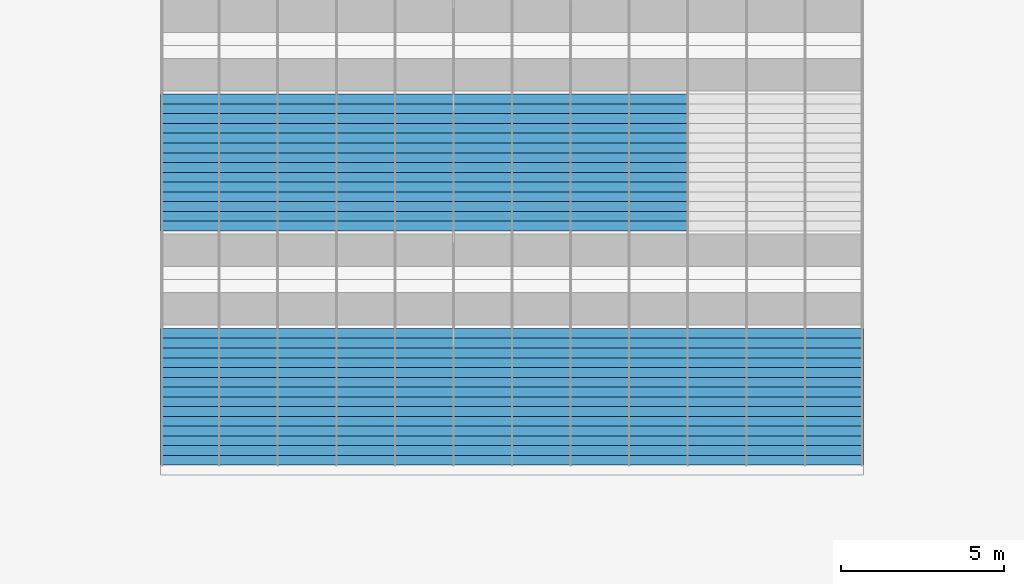
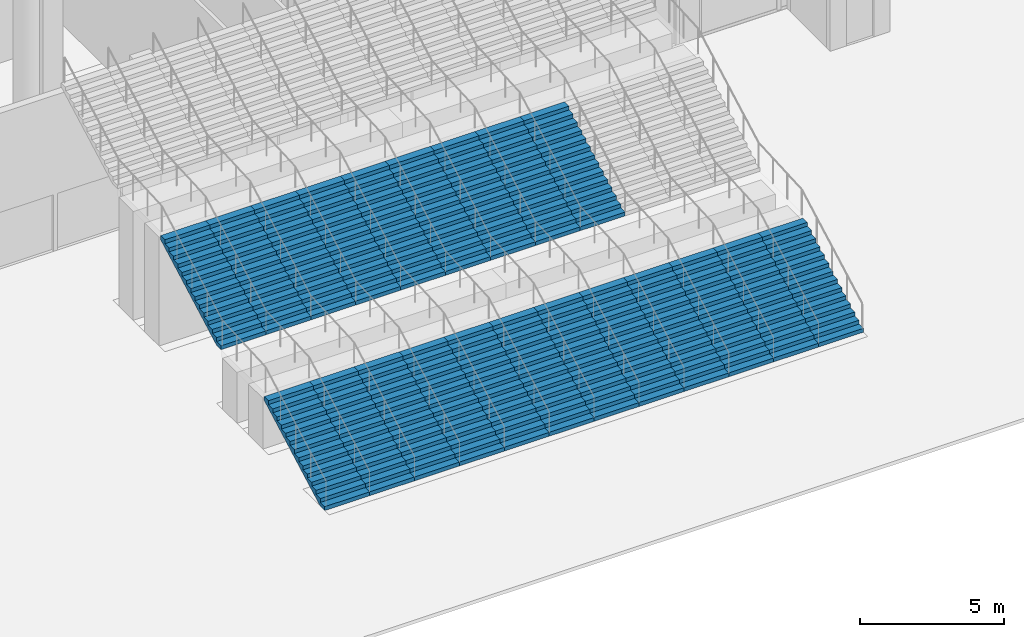
# One storey, part 31 of 44: 21 stair flights, 1 element without a shape of its own.
"""IFC4 building model written with IfcOpenShell, lengths in metres."""

from ifc_helpers import new_model, si_unit, direction, frame, origin, place, context, subcontext, project, spatial, polyline, outline, extrude, material, type_object, element, aggregate, save


model = new_model("IFC4")

# Units and contexts
model_context = context("Model", 3, precision=1e-05, world=origin(), true_north=direction((0.0, 1.0)))
body_context = subcontext(model_context, "Body", "Model", "MODEL_VIEW")
ifc_project = project(units=[si_unit("LENGTHUNIT", "METRE"), si_unit("AREAUNIT", "SQUARE_METRE"), si_unit("VOLUMEUNIT", "CUBIC_METRE"), si_unit("PLANEANGLEUNIT", "RADIAN"), si_unit("MASSUNIT", "GRAM", prefix="KILO")], contexts=[model_context])

# Site, building, storey
site_placement = place(None, origin())
site = spatial("IfcSite", under=ifc_project, at=site_placement, CompositionType="ELEMENT")
building_placement = place(site_placement, origin())
building = spatial("IfcBuilding", under=site, at=building_placement, Name="Fustian Cross Tower", CompositionType="ELEMENT")
storey_placement = place(building_placement, origin())
storey = spatial("IfcBuildingStorey", under=building, at=storey_placement, Name="L00", CompositionType="ELEMENT", Elevation=0.0)

# Stair, stair flights
ifc_material_1 = material(Name="Concrete C40/50", Category="concrete")
stair_type = type_object("IfcStairType", Name="PUBLIC STAIR", PredefinedType="STRAIGHT_RUN_STAIR", material=ifc_material_1)
stair_placement = place(storey_placement, origin())
stair = element("IfcStair", 1, at=stair_placement, inside=storey, type_object=stair_type, Name="Public street stair", PredefinedType="STRAIGHT_RUN_STAIR")
ifc_material_2 = material(Name="Concrete C40/50", Category="concrete")
stair_flight_type = type_object("IfcStairFlightType", Name="PUBLIC STAIR FLIGHT", PredefinedType="STRAIGHT", material=ifc_material_2)
stair_flight_1_placement = place(storey_placement, frame((-9.89990234375, -68.699951171875, 0.0), z_axis=(0.0, 0.0, 1.0), x_axis=(0.0, 1.0, 0.0)))
stair_flight_1 = element("IfcStairFlight", 2, at=stair_flight_1_placement, type_object=stair_flight_type, Name="ST7 flight 1", NumberOfRisers=15, NumberOfTreads=14, PredefinedType="STRAIGHT", RiserHeight=0.163636364, TreadLength=0.3, context=body_context, shape_type="SweptSolid", body=[
    extrude(outline(polyline([(0.0, 0.0), (0.0, 0.16357421875), (0.300048828125, 0.16357421875), (0.300048828125, 0.327392578125), (0.60009765625, 0.327392578125), (0.60009765625, 0.490966796875), (0.89990234375, 0.490966796875), (0.89990234375, 0.654541015625), (1.199951171875, 0.654541015625), (1.199951171875, 0.818115234375), (1.5, 0.818115234375), (1.5, 0.98193359375), (1.800048828125, 0.98193359375), (1.800048828125, 1.1455078125), (2.10009765625, 1.1455078125), (2.10009765625, 1.30908203125), (2.39990234375, 1.30908203125), (2.39990234375, 1.47265625), (2.699951171875, 1.47265625), (2.699951171875, 1.636474609375), (3.0, 1.636474609375), (3.0, 1.800048828125), (3.300048828125, 1.800048828125), (3.300048828125, 1.963623046875), (3.60009765625, 1.963623046875), (3.60009765625, 2.127197265625), (3.89990234375, 2.127197265625), (3.89990234375, 2.291015625), (4.199951171875, 2.291015625), (4.199951171875, 2.45458984375), (4.199951171875, 2.1201171875), (0.31298828125, 0.0), (0.0, 0.0)])), frame((0.0, 0.89990234375, 0.0), z_axis=(0.0, -1.0, 0.0), x_axis=(1.0, 0.0, 0.0)), (0.0, 0.0, 1.0), 1.800048828125),
])
stair_flight_2_placement = place(storey_placement, frame((-8.10009765625, -68.699951171875, 0.0), z_axis=(0.0, 0.0, 1.0), x_axis=(0.0, 1.0, 0.0)))
stair_flight_2 = element("IfcStairFlight", 3, at=stair_flight_2_placement, type_object=stair_flight_type, Name="ST7 flight 2", NumberOfRisers=15, NumberOfTreads=14, PredefinedType="STRAIGHT", RiserHeight=0.163636364, TreadLength=0.3, context=body_context, shape_type="SweptSolid", body=[
    extrude(outline(polyline([(0.0, 0.0), (0.0, 0.16357421875), (0.300048828125, 0.16357421875), (0.300048828125, 0.327392578125), (0.60009765625, 0.327392578125), (0.60009765625, 0.490966796875), (0.89990234375, 0.490966796875), (0.89990234375, 0.654541015625), (1.199951171875, 0.654541015625), (1.199951171875, 0.818115234375), (1.5, 0.818115234375), (1.5, 0.98193359375), (1.800048828125, 0.98193359375), (1.800048828125, 1.1455078125), (2.10009765625, 1.1455078125), (2.10009765625, 1.30908203125), (2.39990234375, 1.30908203125), (2.39990234375, 1.47265625), (2.699951171875, 1.47265625), (2.699951171875, 1.636474609375), (3.0, 1.636474609375), (3.0, 1.800048828125), (3.300048828125, 1.800048828125), (3.300048828125, 1.963623046875), (3.60009765625, 1.963623046875), (3.60009765625, 2.127197265625), (3.89990234375, 2.127197265625), (3.89990234375, 2.291015625), (4.199951171875, 2.291015625), (4.199951171875, 2.45458984375), (4.199951171875, 2.1201171875), (0.31298828125, 0.0), (0.0, 0.0)])), frame((0.0, 0.89990234375, 0.0), z_axis=(0.0, -1.0, 0.0), x_axis=(1.0, 0.0, 0.0)), (0.0, 0.0, 1.0), 1.800048828125),
])
stair_flight_3_placement = place(storey_placement, frame((-6.300048828125, -68.699951171875, 0.0), z_axis=(0.0, 0.0, 1.0), x_axis=(0.0, 1.0, 0.0)))
stair_flight_3 = element("IfcStairFlight", 4, at=stair_flight_3_placement, type_object=stair_flight_type, Name="ST7 flight 3", NumberOfRisers=15, NumberOfTreads=14, PredefinedType="STRAIGHT", RiserHeight=0.163636364, TreadLength=0.3, context=body_context, shape_type="SweptSolid", body=[
    extrude(outline(polyline([(0.0, 0.0), (0.0, 0.16357421875), (0.300048828125, 0.16357421875), (0.300048828125, 0.327392578125), (0.60009765625, 0.327392578125), (0.60009765625, 0.490966796875), (0.89990234375, 0.490966796875), (0.89990234375, 0.654541015625), (1.199951171875, 0.654541015625), (1.199951171875, 0.818115234375), (1.5, 0.818115234375), (1.5, 0.98193359375), (1.800048828125, 0.98193359375), (1.800048828125, 1.1455078125), (2.10009765625, 1.1455078125), (2.10009765625, 1.30908203125), (2.39990234375, 1.30908203125), (2.39990234375, 1.47265625), (2.699951171875, 1.47265625), (2.699951171875, 1.636474609375), (3.0, 1.636474609375), (3.0, 1.800048828125), (3.300048828125, 1.800048828125), (3.300048828125, 1.963623046875), (3.60009765625, 1.963623046875), (3.60009765625, 2.127197265625), (3.89990234375, 2.127197265625), (3.89990234375, 2.291015625), (4.199951171875, 2.291015625), (4.199951171875, 2.45458984375), (4.199951171875, 2.1201171875), (0.31298828125, 0.0), (0.0, 0.0)])), frame((0.0, 0.89990234375, 0.0), z_axis=(0.0, -1.0, 0.0), x_axis=(1.0, 0.0, 0.0)), (0.0, 0.0, 1.0), 1.800048828125),
])
stair_flight_4_placement = place(storey_placement, frame((-4.5, -68.699951171875, 0.0), z_axis=(0.0, 0.0, 1.0), x_axis=(0.0, 1.0, 0.0)))
stair_flight_4 = element("IfcStairFlight", 5, at=stair_flight_4_placement, type_object=stair_flight_type, Name="ST7 flight 4", NumberOfRisers=15, NumberOfTreads=14, PredefinedType="STRAIGHT", RiserHeight=0.163636364, TreadLength=0.3, context=body_context, shape_type="SweptSolid", body=[
    extrude(outline(polyline([(0.0, 0.0), (0.0, 0.16357421875), (0.300048828125, 0.16357421875), (0.300048828125, 0.327392578125), (0.60009765625, 0.327392578125), (0.60009765625, 0.490966796875), (0.89990234375, 0.490966796875), (0.89990234375, 0.654541015625), (1.199951171875, 0.654541015625), (1.199951171875, 0.818115234375), (1.5, 0.818115234375), (1.5, 0.98193359375), (1.800048828125, 0.98193359375), (1.800048828125, 1.1455078125), (2.10009765625, 1.1455078125), (2.10009765625, 1.30908203125), (2.39990234375, 1.30908203125), (2.39990234375, 1.47265625), (2.699951171875, 1.47265625), (2.699951171875, 1.636474609375), (3.0, 1.636474609375), (3.0, 1.800048828125), (3.300048828125, 1.800048828125), (3.300048828125, 1.963623046875), (3.60009765625, 1.963623046875), (3.60009765625, 2.127197265625), (3.89990234375, 2.127197265625), (3.89990234375, 2.291015625), (4.199951171875, 2.291015625), (4.199951171875, 2.45458984375), (4.199951171875, 2.1201171875), (0.31298828125, 0.0), (0.0, 0.0)])), frame((0.0, 0.89990234375, 0.0), z_axis=(0.0, -1.0, 0.0), x_axis=(1.0, 0.0, 0.0)), (0.0, 0.0, 1.0), 1.800048828125),
])
stair_flight_5_placement = place(storey_placement, frame((-2.699951171875, -68.699951171875, 0.0), z_axis=(0.0, 0.0, 1.0), x_axis=(0.0, 1.0, 0.0)))
stair_flight_5 = element("IfcStairFlight", 6, at=stair_flight_5_placement, type_object=stair_flight_type, Name="ST7 flight 5", NumberOfRisers=15, NumberOfTreads=14, PredefinedType="STRAIGHT", RiserHeight=0.163636364, TreadLength=0.3, context=body_context, shape_type="SweptSolid", body=[
    extrude(outline(polyline([(0.0, 0.0), (0.0, 0.16357421875), (0.300048828125, 0.16357421875), (0.300048828125, 0.327392578125), (0.60009765625, 0.327392578125), (0.60009765625, 0.490966796875), (0.89990234375, 0.490966796875), (0.89990234375, 0.654541015625), (1.199951171875, 0.654541015625), (1.199951171875, 0.818115234375), (1.5, 0.818115234375), (1.5, 0.98193359375), (1.800048828125, 0.98193359375), (1.800048828125, 1.1455078125), (2.10009765625, 1.1455078125), (2.10009765625, 1.30908203125), (2.39990234375, 1.30908203125), (2.39990234375, 1.47265625), (2.699951171875, 1.47265625), (2.699951171875, 1.636474609375), (3.0, 1.636474609375), (3.0, 1.800048828125), (3.300048828125, 1.800048828125), (3.300048828125, 1.963623046875), (3.60009765625, 1.963623046875), (3.60009765625, 2.127197265625), (3.89990234375, 2.127197265625), (3.89990234375, 2.291015625), (4.199951171875, 2.291015625), (4.199951171875, 2.45458984375), (4.199951171875, 2.1201171875), (0.31298828125, 0.0), (0.0, 0.0)])), frame((0.0, 0.89990234375, 0.0), z_axis=(0.0, -1.0, 0.0), x_axis=(1.0, 0.0, 0.0)), (0.0, 0.0, 1.0), 1.800048828125),
])
stair_flight_6_placement = place(storey_placement, frame((-0.89990234375, -68.699951171875, 0.0), z_axis=(0.0, 0.0, 1.0), x_axis=(0.0, 1.0, 0.0)))
stair_flight_6 = element("IfcStairFlight", 7, at=stair_flight_6_placement, type_object=stair_flight_type, Name="ST7 flight 6", NumberOfRisers=15, NumberOfTreads=14, PredefinedType="STRAIGHT", RiserHeight=0.163636364, TreadLength=0.3, context=body_context, shape_type="SweptSolid", body=[
    extrude(outline(polyline([(0.0, 0.0), (0.0, 0.16357421875), (0.300048828125, 0.16357421875), (0.300048828125, 0.327392578125), (0.60009765625, 0.327392578125), (0.60009765625, 0.490966796875), (0.89990234375, 0.490966796875), (0.89990234375, 0.654541015625), (1.199951171875, 0.654541015625), (1.199951171875, 0.818115234375), (1.5, 0.818115234375), (1.5, 0.98193359375), (1.800048828125, 0.98193359375), (1.800048828125, 1.1455078125), (2.10009765625, 1.1455078125), (2.10009765625, 1.30908203125), (2.39990234375, 1.30908203125), (2.39990234375, 1.47265625), (2.699951171875, 1.47265625), (2.699951171875, 1.636474609375), (3.0, 1.636474609375), (3.0, 1.800048828125), (3.300048828125, 1.800048828125), (3.300048828125, 1.963623046875), (3.60009765625, 1.963623046875), (3.60009765625, 2.127197265625), (3.89990234375, 2.127197265625), (3.89990234375, 2.291015625), (4.199951171875, 2.291015625), (4.199951171875, 2.45458984375), (4.199951171875, 2.1201171875), (0.31298828125, 0.0), (0.0, 0.0)])), frame((0.0, 0.89990234375, 0.0), z_axis=(0.0, -1.0, 0.0), x_axis=(1.0, 0.0, 0.0)), (0.0, 0.0, 1.0), 1.800048828125),
])
stair_flight_7_placement = place(storey_placement, frame((0.89990234375, -68.699951171875, 0.0), z_axis=(0.0, 0.0, 1.0), x_axis=(0.0, 1.0, 0.0)))
stair_flight_7 = element("IfcStairFlight", 8, at=stair_flight_7_placement, type_object=stair_flight_type, Name="ST7 flight 7", NumberOfRisers=15, NumberOfTreads=14, PredefinedType="STRAIGHT", RiserHeight=0.163636364, TreadLength=0.3, context=body_context, shape_type="SweptSolid", body=[
    extrude(outline(polyline([(0.0, 0.0), (0.0, 0.16357421875), (0.300048828125, 0.16357421875), (0.300048828125, 0.327392578125), (0.60009765625, 0.327392578125), (0.60009765625, 0.490966796875), (0.89990234375, 0.490966796875), (0.89990234375, 0.654541015625), (1.199951171875, 0.654541015625), (1.199951171875, 0.818115234375), (1.5, 0.818115234375), (1.5, 0.98193359375), (1.800048828125, 0.98193359375), (1.800048828125, 1.1455078125), (2.10009765625, 1.1455078125), (2.10009765625, 1.30908203125), (2.39990234375, 1.30908203125), (2.39990234375, 1.47265625), (2.699951171875, 1.47265625), (2.699951171875, 1.636474609375), (3.0, 1.636474609375), (3.0, 1.800048828125), (3.300048828125, 1.800048828125), (3.300048828125, 1.963623046875), (3.60009765625, 1.963623046875), (3.60009765625, 2.127197265625), (3.89990234375, 2.127197265625), (3.89990234375, 2.291015625), (4.199951171875, 2.291015625), (4.199951171875, 2.45458984375), (4.199951171875, 2.1201171875), (0.31298828125, 0.0), (0.0, 0.0)])), frame((0.0, 0.89990234375, 0.0), z_axis=(0.0, -1.0, 0.0), x_axis=(1.0, 0.0, 0.0)), (0.0, 0.0, 1.0), 1.800048828125),
])
stair_flight_8_placement = place(storey_placement, frame((2.699951171875, -68.699951171875, 0.0), z_axis=(0.0, 0.0, 1.0), x_axis=(0.0, 1.0, 0.0)))
stair_flight_8 = element("IfcStairFlight", 9, at=stair_flight_8_placement, type_object=stair_flight_type, Name="ST7 flight 8", NumberOfRisers=15, NumberOfTreads=14, PredefinedType="STRAIGHT", RiserHeight=0.163636364, TreadLength=0.3, context=body_context, shape_type="SweptSolid", body=[
    extrude(outline(polyline([(0.0, 0.0), (0.0, 0.16357421875), (0.300048828125, 0.16357421875), (0.300048828125, 0.327392578125), (0.60009765625, 0.327392578125), (0.60009765625, 0.490966796875), (0.89990234375, 0.490966796875), (0.89990234375, 0.654541015625), (1.199951171875, 0.654541015625), (1.199951171875, 0.818115234375), (1.5, 0.818115234375), (1.5, 0.98193359375), (1.800048828125, 0.98193359375), (1.800048828125, 1.1455078125), (2.10009765625, 1.1455078125), (2.10009765625, 1.30908203125), (2.39990234375, 1.30908203125), (2.39990234375, 1.47265625), (2.699951171875, 1.47265625), (2.699951171875, 1.636474609375), (3.0, 1.636474609375), (3.0, 1.800048828125), (3.300048828125, 1.800048828125), (3.300048828125, 1.963623046875), (3.60009765625, 1.963623046875), (3.60009765625, 2.127197265625), (3.89990234375, 2.127197265625), (3.89990234375, 2.291015625), (4.199951171875, 2.291015625), (4.199951171875, 2.45458984375), (4.199951171875, 2.1201171875), (0.31298828125, 0.0), (0.0, 0.0)])), frame((0.0, 0.89990234375, 0.0), z_axis=(0.0, -1.0, 0.0), x_axis=(1.0, 0.0, 0.0)), (0.0, 0.0, 1.0), 1.800048828125),
])
stair_flight_9_placement = place(storey_placement, frame((4.5, -68.699951171875, 0.0), z_axis=(0.0, 0.0, 1.0), x_axis=(0.0, 1.0, 0.0)))
stair_flight_9 = element("IfcStairFlight", 10, at=stair_flight_9_placement, type_object=stair_flight_type, Name="ST7 flight 9", NumberOfRisers=15, NumberOfTreads=14, PredefinedType="STRAIGHT", RiserHeight=0.163636364, TreadLength=0.3, context=body_context, shape_type="SweptSolid", body=[
    extrude(outline(polyline([(0.0, 0.0), (0.0, 0.16357421875), (0.300048828125, 0.16357421875), (0.300048828125, 0.327392578125), (0.60009765625, 0.327392578125), (0.60009765625, 0.490966796875), (0.89990234375, 0.490966796875), (0.89990234375, 0.654541015625), (1.199951171875, 0.654541015625), (1.199951171875, 0.818115234375), (1.5, 0.818115234375), (1.5, 0.98193359375), (1.800048828125, 0.98193359375), (1.800048828125, 1.1455078125), (2.10009765625, 1.1455078125), (2.10009765625, 1.30908203125), (2.39990234375, 1.30908203125), (2.39990234375, 1.47265625), (2.699951171875, 1.47265625), (2.699951171875, 1.636474609375), (3.0, 1.636474609375), (3.0, 1.800048828125), (3.300048828125, 1.800048828125), (3.300048828125, 1.963623046875), (3.60009765625, 1.963623046875), (3.60009765625, 2.127197265625), (3.89990234375, 2.127197265625), (3.89990234375, 2.291015625), (4.199951171875, 2.291015625), (4.199951171875, 2.45458984375), (4.199951171875, 2.1201171875), (0.31298828125, 0.0), (0.0, 0.0)])), frame((0.0, 0.89990234375, 0.0), z_axis=(0.0, -1.0, 0.0), x_axis=(1.0, 0.0, 0.0)), (0.0, 0.0, 1.0), 1.800048828125),
])
stair_flight_10_placement = place(storey_placement, frame((6.300048828125, -68.699951171875, 0.0), z_axis=(0.0, 0.0, 1.0), x_axis=(0.0, 1.0, 0.0)))
stair_flight_10 = element("IfcStairFlight", 11, at=stair_flight_10_placement, type_object=stair_flight_type, Name="ST7 flight 10", NumberOfRisers=15, NumberOfTreads=14, PredefinedType="STRAIGHT", RiserHeight=0.163636364, TreadLength=0.3, context=body_context, shape_type="SweptSolid", body=[
    extrude(outline(polyline([(0.0, 0.0), (0.0, 0.16357421875), (0.300048828125, 0.16357421875), (0.300048828125, 0.327392578125), (0.60009765625, 0.327392578125), (0.60009765625, 0.490966796875), (0.89990234375, 0.490966796875), (0.89990234375, 0.654541015625), (1.199951171875, 0.654541015625), (1.199951171875, 0.818115234375), (1.5, 0.818115234375), (1.5, 0.98193359375), (1.800048828125, 0.98193359375), (1.800048828125, 1.1455078125), (2.10009765625, 1.1455078125), (2.10009765625, 1.30908203125), (2.39990234375, 1.30908203125), (2.39990234375, 1.47265625), (2.699951171875, 1.47265625), (2.699951171875, 1.636474609375), (3.0, 1.636474609375), (3.0, 1.800048828125), (3.300048828125, 1.800048828125), (3.300048828125, 1.963623046875), (3.60009765625, 1.963623046875), (3.60009765625, 2.127197265625), (3.89990234375, 2.127197265625), (3.89990234375, 2.291015625), (4.199951171875, 2.291015625), (4.199951171875, 2.45458984375), (4.199951171875, 2.1201171875), (0.31298828125, 0.0), (0.0, 0.0)])), frame((0.0, 0.89990234375, 0.0), z_axis=(0.0, -1.0, 0.0), x_axis=(1.0, 0.0, 0.0)), (0.0, 0.0, 1.0), 1.800048828125),
])
stair_flight_11_placement = place(storey_placement, frame((8.10009765625, -68.699951171875, 0.0), z_axis=(0.0, 0.0, 1.0), x_axis=(0.0, 1.0, 0.0)))
stair_flight_11 = element("IfcStairFlight", 12, at=stair_flight_11_placement, type_object=stair_flight_type, Name="ST7 flight 11", NumberOfRisers=15, NumberOfTreads=14, PredefinedType="STRAIGHT", RiserHeight=0.163636364, TreadLength=0.3, context=body_context, shape_type="SweptSolid", body=[
    extrude(outline(polyline([(0.0, 0.0), (0.0, 0.16357421875), (0.300048828125, 0.16357421875), (0.300048828125, 0.327392578125), (0.60009765625, 0.327392578125), (0.60009765625, 0.490966796875), (0.89990234375, 0.490966796875), (0.89990234375, 0.654541015625), (1.199951171875, 0.654541015625), (1.199951171875, 0.818115234375), (1.5, 0.818115234375), (1.5, 0.98193359375), (1.800048828125, 0.98193359375), (1.800048828125, 1.1455078125), (2.10009765625, 1.1455078125), (2.10009765625, 1.30908203125), (2.39990234375, 1.30908203125), (2.39990234375, 1.47265625), (2.699951171875, 1.47265625), (2.699951171875, 1.636474609375), (3.0, 1.636474609375), (3.0, 1.800048828125), (3.300048828125, 1.800048828125), (3.300048828125, 1.963623046875), (3.60009765625, 1.963623046875), (3.60009765625, 2.127197265625), (3.89990234375, 2.127197265625), (3.89990234375, 2.291015625), (4.199951171875, 2.291015625), (4.199951171875, 2.45458984375), (4.199951171875, 2.1201171875), (0.31298828125, 0.0), (0.0, 0.0)])), frame((0.0, 0.89990234375, 0.0), z_axis=(0.0, -1.0, 0.0), x_axis=(1.0, 0.0, 0.0)), (0.0, 0.0, 1.0), 1.800048828125),
])
stair_flight_12_placement = place(storey_placement, frame((9.89990234375, -68.699951171875, 0.0), z_axis=(0.0, 0.0, 1.0), x_axis=(0.0, 1.0, 0.0)))
stair_flight_12 = element("IfcStairFlight", 13, at=stair_flight_12_placement, type_object=stair_flight_type, Name="ST7 flight 12", NumberOfRisers=15, NumberOfTreads=14, PredefinedType="STRAIGHT", RiserHeight=0.163636364, TreadLength=0.3, context=body_context, shape_type="SweptSolid", body=[
    extrude(outline(polyline([(0.0, 0.0), (0.0, 0.16357421875), (0.300048828125, 0.16357421875), (0.300048828125, 0.327392578125), (0.60009765625, 0.327392578125), (0.60009765625, 0.490966796875), (0.89990234375, 0.490966796875), (0.89990234375, 0.654541015625), (1.199951171875, 0.654541015625), (1.199951171875, 0.818115234375), (1.5, 0.818115234375), (1.5, 0.98193359375), (1.800048828125, 0.98193359375), (1.800048828125, 1.1455078125), (2.10009765625, 1.1455078125), (2.10009765625, 1.30908203125), (2.39990234375, 1.30908203125), (2.39990234375, 1.47265625), (2.699951171875, 1.47265625), (2.699951171875, 1.636474609375), (3.0, 1.636474609375), (3.0, 1.800048828125), (3.300048828125, 1.800048828125), (3.300048828125, 1.963623046875), (3.60009765625, 1.963623046875), (3.60009765625, 2.127197265625), (3.89990234375, 2.127197265625), (3.89990234375, 2.291015625), (4.199951171875, 2.291015625), (4.199951171875, 2.45458984375), (4.199951171875, 2.1201171875), (0.31298828125, 0.0), (0.0, 0.0)])), frame((0.0, 0.89990234375, 0.0), z_axis=(0.0, -1.0, 0.0), x_axis=(1.0, 0.0, 0.0)), (0.0, 0.0, 1.0), 1.800048828125),
])
stair_flight_13_placement = place(storey_placement, frame((-9.89990234375, -61.5, 2.45458984375), z_axis=(0.0, 0.0, 1.0), x_axis=(0.0, 1.0, 0.0)))
stair_flight_13 = element("IfcStairFlight", 14, at=stair_flight_13_placement, type_object=stair_flight_type, Name="ST7 flight 13", NumberOfRisers=15, NumberOfTreads=14, PredefinedType="STRAIGHT", RiserHeight=0.163636364, TreadLength=0.3, context=body_context, shape_type="SweptSolid", body=[
    extrude(outline(polyline([(0.0, 0.0), (0.0, 0.16357421875), (0.300048828125, 0.16357421875), (0.300048828125, 0.327392578125), (0.60009765625, 0.327392578125), (0.60009765625, 0.490966796875), (0.89990234375, 0.490966796875), (0.89990234375, 0.654541015625), (1.199951171875, 0.654541015625), (1.199951171875, 0.818115234375), (1.5, 0.818115234375), (1.5, 0.98193359375), (1.800048828125, 0.98193359375), (1.800048828125, 1.1455078125), (2.10009765625, 1.1455078125), (2.10009765625, 1.30908203125), (2.39990234375, 1.30908203125), (2.39990234375, 1.47265625), (2.699951171875, 1.47265625), (2.699951171875, 1.636474609375), (3.0, 1.636474609375), (3.0, 1.800048828125), (3.300048828125, 1.800048828125), (3.300048828125, 1.963623046875), (3.60009765625, 1.963623046875), (3.60009765625, 2.127197265625), (3.89990234375, 2.127197265625), (3.89990234375, 2.291015625), (4.199951171875, 2.291015625), (4.199951171875, 2.45458984375), (4.199951171875, 2.1201171875), (0.31298828125, 0.0), (0.0, 0.0)])), frame((0.0, 0.89990234375, 0.0), z_axis=(0.0, -1.0, 0.0), x_axis=(1.0, 0.0, 0.0)), (0.0, 0.0, 1.0), 1.800048828125),
])
stair_flight_14_placement = place(storey_placement, frame((-8.10009765625, -61.5, 2.45458984375), z_axis=(0.0, 0.0, 1.0), x_axis=(0.0, 1.0, 0.0)))
stair_flight_14 = element("IfcStairFlight", 15, at=stair_flight_14_placement, type_object=stair_flight_type, Name="ST7 flight 14", NumberOfRisers=15, NumberOfTreads=14, PredefinedType="STRAIGHT", RiserHeight=0.163636364, TreadLength=0.3, context=body_context, shape_type="SweptSolid", body=[
    extrude(outline(polyline([(0.0, 0.0), (0.0, 0.16357421875), (0.300048828125, 0.16357421875), (0.300048828125, 0.327392578125), (0.60009765625, 0.327392578125), (0.60009765625, 0.490966796875), (0.89990234375, 0.490966796875), (0.89990234375, 0.654541015625), (1.199951171875, 0.654541015625), (1.199951171875, 0.818115234375), (1.5, 0.818115234375), (1.5, 0.98193359375), (1.800048828125, 0.98193359375), (1.800048828125, 1.1455078125), (2.10009765625, 1.1455078125), (2.10009765625, 1.30908203125), (2.39990234375, 1.30908203125), (2.39990234375, 1.47265625), (2.699951171875, 1.47265625), (2.699951171875, 1.636474609375), (3.0, 1.636474609375), (3.0, 1.800048828125), (3.300048828125, 1.800048828125), (3.300048828125, 1.963623046875), (3.60009765625, 1.963623046875), (3.60009765625, 2.127197265625), (3.89990234375, 2.127197265625), (3.89990234375, 2.291015625), (4.199951171875, 2.291015625), (4.199951171875, 2.45458984375), (4.199951171875, 2.1201171875), (0.31298828125, 0.0), (0.0, 0.0)])), frame((0.0, 0.89990234375, 0.0), z_axis=(0.0, -1.0, 0.0), x_axis=(1.0, 0.0, 0.0)), (0.0, 0.0, 1.0), 1.800048828125),
])
stair_flight_15_placement = place(storey_placement, frame((-6.300048828125, -61.5, 2.45458984375), z_axis=(0.0, 0.0, 1.0), x_axis=(0.0, 1.0, 0.0)))
stair_flight_15 = element("IfcStairFlight", 16, at=stair_flight_15_placement, type_object=stair_flight_type, Name="ST7 flight 15", NumberOfRisers=15, NumberOfTreads=14, PredefinedType="STRAIGHT", RiserHeight=0.163636364, TreadLength=0.3, context=body_context, shape_type="SweptSolid", body=[
    extrude(outline(polyline([(0.0, 0.0), (0.0, 0.16357421875), (0.300048828125, 0.16357421875), (0.300048828125, 0.327392578125), (0.60009765625, 0.327392578125), (0.60009765625, 0.490966796875), (0.89990234375, 0.490966796875), (0.89990234375, 0.654541015625), (1.199951171875, 0.654541015625), (1.199951171875, 0.818115234375), (1.5, 0.818115234375), (1.5, 0.98193359375), (1.800048828125, 0.98193359375), (1.800048828125, 1.1455078125), (2.10009765625, 1.1455078125), (2.10009765625, 1.30908203125), (2.39990234375, 1.30908203125), (2.39990234375, 1.47265625), (2.699951171875, 1.47265625), (2.699951171875, 1.636474609375), (3.0, 1.636474609375), (3.0, 1.800048828125), (3.300048828125, 1.800048828125), (3.300048828125, 1.963623046875), (3.60009765625, 1.963623046875), (3.60009765625, 2.127197265625), (3.89990234375, 2.127197265625), (3.89990234375, 2.291015625), (4.199951171875, 2.291015625), (4.199951171875, 2.45458984375), (4.199951171875, 2.1201171875), (0.31298828125, 0.0), (0.0, 0.0)])), frame((0.0, 0.89990234375, 0.0), z_axis=(0.0, -1.0, 0.0), x_axis=(1.0, 0.0, 0.0)), (0.0, 0.0, 1.0), 1.800048828125),
])
stair_flight_16_placement = place(storey_placement, frame((-4.5, -61.5, 2.45458984375), z_axis=(0.0, 0.0, 1.0), x_axis=(0.0, 1.0, 0.0)))
stair_flight_16 = element("IfcStairFlight", 17, at=stair_flight_16_placement, type_object=stair_flight_type, Name="ST7 flight 16", NumberOfRisers=15, NumberOfTreads=14, PredefinedType="STRAIGHT", RiserHeight=0.163636364, TreadLength=0.3, context=body_context, shape_type="SweptSolid", body=[
    extrude(outline(polyline([(0.0, 0.0), (0.0, 0.16357421875), (0.300048828125, 0.16357421875), (0.300048828125, 0.327392578125), (0.60009765625, 0.327392578125), (0.60009765625, 0.490966796875), (0.89990234375, 0.490966796875), (0.89990234375, 0.654541015625), (1.199951171875, 0.654541015625), (1.199951171875, 0.818115234375), (1.5, 0.818115234375), (1.5, 0.98193359375), (1.800048828125, 0.98193359375), (1.800048828125, 1.1455078125), (2.10009765625, 1.1455078125), (2.10009765625, 1.30908203125), (2.39990234375, 1.30908203125), (2.39990234375, 1.47265625), (2.699951171875, 1.47265625), (2.699951171875, 1.636474609375), (3.0, 1.636474609375), (3.0, 1.800048828125), (3.300048828125, 1.800048828125), (3.300048828125, 1.963623046875), (3.60009765625, 1.963623046875), (3.60009765625, 2.127197265625), (3.89990234375, 2.127197265625), (3.89990234375, 2.291015625), (4.199951171875, 2.291015625), (4.199951171875, 2.45458984375), (4.199951171875, 2.1201171875), (0.31298828125, 0.0), (0.0, 0.0)])), frame((0.0, 0.89990234375, 0.0), z_axis=(0.0, -1.0, 0.0), x_axis=(1.0, 0.0, 0.0)), (0.0, 0.0, 1.0), 1.800048828125),
])
stair_flight_17_placement = place(storey_placement, frame((-2.699951171875, -61.5, 2.45458984375), z_axis=(0.0, 0.0, 1.0), x_axis=(0.0, 1.0, 0.0)))
stair_flight_17 = element("IfcStairFlight", 18, at=stair_flight_17_placement, type_object=stair_flight_type, Name="ST7 flight 17", NumberOfRisers=15, NumberOfTreads=14, PredefinedType="STRAIGHT", RiserHeight=0.163636364, TreadLength=0.3, context=body_context, shape_type="SweptSolid", body=[
    extrude(outline(polyline([(0.0, 0.0), (0.0, 0.16357421875), (0.300048828125, 0.16357421875), (0.300048828125, 0.327392578125), (0.60009765625, 0.327392578125), (0.60009765625, 0.490966796875), (0.89990234375, 0.490966796875), (0.89990234375, 0.654541015625), (1.199951171875, 0.654541015625), (1.199951171875, 0.818115234375), (1.5, 0.818115234375), (1.5, 0.98193359375), (1.800048828125, 0.98193359375), (1.800048828125, 1.1455078125), (2.10009765625, 1.1455078125), (2.10009765625, 1.30908203125), (2.39990234375, 1.30908203125), (2.39990234375, 1.47265625), (2.699951171875, 1.47265625), (2.699951171875, 1.636474609375), (3.0, 1.636474609375), (3.0, 1.800048828125), (3.300048828125, 1.800048828125), (3.300048828125, 1.963623046875), (3.60009765625, 1.963623046875), (3.60009765625, 2.127197265625), (3.89990234375, 2.127197265625), (3.89990234375, 2.291015625), (4.199951171875, 2.291015625), (4.199951171875, 2.45458984375), (4.199951171875, 2.1201171875), (0.31298828125, 0.0), (0.0, 0.0)])), frame((0.0, 0.89990234375, 0.0), z_axis=(0.0, -1.0, 0.0), x_axis=(1.0, 0.0, 0.0)), (0.0, 0.0, 1.0), 1.800048828125),
])
stair_flight_18_placement = place(storey_placement, frame((-0.89990234375, -61.5, 2.45458984375), z_axis=(0.0, 0.0, 1.0), x_axis=(0.0, 1.0, 0.0)))
stair_flight_18 = element("IfcStairFlight", 19, at=stair_flight_18_placement, type_object=stair_flight_type, Name="ST7 flight 18", NumberOfRisers=15, NumberOfTreads=14, PredefinedType="STRAIGHT", RiserHeight=0.163636364, TreadLength=0.3, context=body_context, shape_type="SweptSolid", body=[
    extrude(outline(polyline([(0.0, 0.0), (0.0, 0.16357421875), (0.300048828125, 0.16357421875), (0.300048828125, 0.327392578125), (0.60009765625, 0.327392578125), (0.60009765625, 0.490966796875), (0.89990234375, 0.490966796875), (0.89990234375, 0.654541015625), (1.199951171875, 0.654541015625), (1.199951171875, 0.818115234375), (1.5, 0.818115234375), (1.5, 0.98193359375), (1.800048828125, 0.98193359375), (1.800048828125, 1.1455078125), (2.10009765625, 1.1455078125), (2.10009765625, 1.30908203125), (2.39990234375, 1.30908203125), (2.39990234375, 1.47265625), (2.699951171875, 1.47265625), (2.699951171875, 1.636474609375), (3.0, 1.636474609375), (3.0, 1.800048828125), (3.300048828125, 1.800048828125), (3.300048828125, 1.963623046875), (3.60009765625, 1.963623046875), (3.60009765625, 2.127197265625), (3.89990234375, 2.127197265625), (3.89990234375, 2.291015625), (4.199951171875, 2.291015625), (4.199951171875, 2.45458984375), (4.199951171875, 2.1201171875), (0.31298828125, 0.0), (0.0, 0.0)])), frame((0.0, 0.89990234375, 0.0), z_axis=(0.0, -1.0, 0.0), x_axis=(1.0, 0.0, 0.0)), (0.0, 0.0, 1.0), 1.800048828125),
])
stair_flight_19_placement = place(storey_placement, frame((0.89990234375, -61.5, 2.45458984375), z_axis=(0.0, 0.0, 1.0), x_axis=(0.0, 1.0, 0.0)))
stair_flight_19 = element("IfcStairFlight", 20, at=stair_flight_19_placement, type_object=stair_flight_type, Name="ST7 flight 19", NumberOfRisers=15, NumberOfTreads=14, PredefinedType="STRAIGHT", RiserHeight=0.163636364, TreadLength=0.3, context=body_context, shape_type="SweptSolid", body=[
    extrude(outline(polyline([(0.0, 0.0), (0.0, 0.16357421875), (0.300048828125, 0.16357421875), (0.300048828125, 0.327392578125), (0.60009765625, 0.327392578125), (0.60009765625, 0.490966796875), (0.89990234375, 0.490966796875), (0.89990234375, 0.654541015625), (1.199951171875, 0.654541015625), (1.199951171875, 0.818115234375), (1.5, 0.818115234375), (1.5, 0.98193359375), (1.800048828125, 0.98193359375), (1.800048828125, 1.1455078125), (2.10009765625, 1.1455078125), (2.10009765625, 1.30908203125), (2.39990234375, 1.30908203125), (2.39990234375, 1.47265625), (2.699951171875, 1.47265625), (2.699951171875, 1.636474609375), (3.0, 1.636474609375), (3.0, 1.800048828125), (3.300048828125, 1.800048828125), (3.300048828125, 1.963623046875), (3.60009765625, 1.963623046875), (3.60009765625, 2.127197265625), (3.89990234375, 2.127197265625), (3.89990234375, 2.291015625), (4.199951171875, 2.291015625), (4.199951171875, 2.45458984375), (4.199951171875, 2.1201171875), (0.31298828125, 0.0), (0.0, 0.0)])), frame((0.0, 0.89990234375, 0.0), z_axis=(0.0, -1.0, 0.0), x_axis=(1.0, 0.0, 0.0)), (0.0, 0.0, 1.0), 1.800048828125),
])
stair_flight_20_placement = place(storey_placement, frame((2.699951171875, -61.5, 2.45458984375), z_axis=(0.0, 0.0, 1.0), x_axis=(0.0, 1.0, 0.0)))
stair_flight_20 = element("IfcStairFlight", 21, at=stair_flight_20_placement, type_object=stair_flight_type, Name="ST7 flight 20", NumberOfRisers=15, NumberOfTreads=14, PredefinedType="STRAIGHT", RiserHeight=0.163636364, TreadLength=0.3, context=body_context, shape_type="SweptSolid", body=[
    extrude(outline(polyline([(0.0, 0.0), (0.0, 0.16357421875), (0.300048828125, 0.16357421875), (0.300048828125, 0.327392578125), (0.60009765625, 0.327392578125), (0.60009765625, 0.490966796875), (0.89990234375, 0.490966796875), (0.89990234375, 0.654541015625), (1.199951171875, 0.654541015625), (1.199951171875, 0.818115234375), (1.5, 0.818115234375), (1.5, 0.98193359375), (1.800048828125, 0.98193359375), (1.800048828125, 1.1455078125), (2.10009765625, 1.1455078125), (2.10009765625, 1.30908203125), (2.39990234375, 1.30908203125), (2.39990234375, 1.47265625), (2.699951171875, 1.47265625), (2.699951171875, 1.636474609375), (3.0, 1.636474609375), (3.0, 1.800048828125), (3.300048828125, 1.800048828125), (3.300048828125, 1.963623046875), (3.60009765625, 1.963623046875), (3.60009765625, 2.127197265625), (3.89990234375, 2.127197265625), (3.89990234375, 2.291015625), (4.199951171875, 2.291015625), (4.199951171875, 2.45458984375), (4.199951171875, 2.1201171875), (0.31298828125, 0.0), (0.0, 0.0)])), frame((0.0, 0.89990234375, 0.0), z_axis=(0.0, -1.0, 0.0), x_axis=(1.0, 0.0, 0.0)), (0.0, 0.0, 1.0), 1.800048828125),
])
stair_flight_21_placement = place(storey_placement, frame((4.5, -61.5, 2.45458984375), z_axis=(0.0, 0.0, 1.0), x_axis=(0.0, 1.0, 0.0)))
stair_flight_21 = element("IfcStairFlight", 22, at=stair_flight_21_placement, type_object=stair_flight_type, Name="ST7 flight 21", NumberOfRisers=15, NumberOfTreads=14, PredefinedType="STRAIGHT", RiserHeight=0.163636364, TreadLength=0.3, context=body_context, shape_type="SweptSolid", body=[
    extrude(outline(polyline([(0.0, 0.0), (0.0, 0.16357421875), (0.300048828125, 0.16357421875), (0.300048828125, 0.327392578125), (0.60009765625, 0.327392578125), (0.60009765625, 0.490966796875), (0.89990234375, 0.490966796875), (0.89990234375, 0.654541015625), (1.199951171875, 0.654541015625), (1.199951171875, 0.818115234375), (1.5, 0.818115234375), (1.5, 0.98193359375), (1.800048828125, 0.98193359375), (1.800048828125, 1.1455078125), (2.10009765625, 1.1455078125), (2.10009765625, 1.30908203125), (2.39990234375, 1.30908203125), (2.39990234375, 1.47265625), (2.699951171875, 1.47265625), (2.699951171875, 1.636474609375), (3.0, 1.636474609375), (3.0, 1.800048828125), (3.300048828125, 1.800048828125), (3.300048828125, 1.963623046875), (3.60009765625, 1.963623046875), (3.60009765625, 2.127197265625), (3.89990234375, 2.127197265625), (3.89990234375, 2.291015625), (4.199951171875, 2.291015625), (4.199951171875, 2.45458984375), (4.199951171875, 2.1201171875), (0.31298828125, 0.0), (0.0, 0.0)])), frame((0.0, 0.89990234375, 0.0), z_axis=(0.0, -1.0, 0.0), x_axis=(1.0, 0.0, 0.0)), (0.0, 0.0, 1.0), 1.800048828125),
])
aggregate(stair, [stair_flight_1, stair_flight_2, stair_flight_3, stair_flight_4, stair_flight_5, stair_flight_6, stair_flight_7, stair_flight_8, stair_flight_9, stair_flight_10, stair_flight_11, stair_flight_12, stair_flight_13, stair_flight_14, stair_flight_15, stair_flight_16, stair_flight_17, stair_flight_18, stair_flight_19, stair_flight_20, stair_flight_21])

save(model, "model.ifc")
